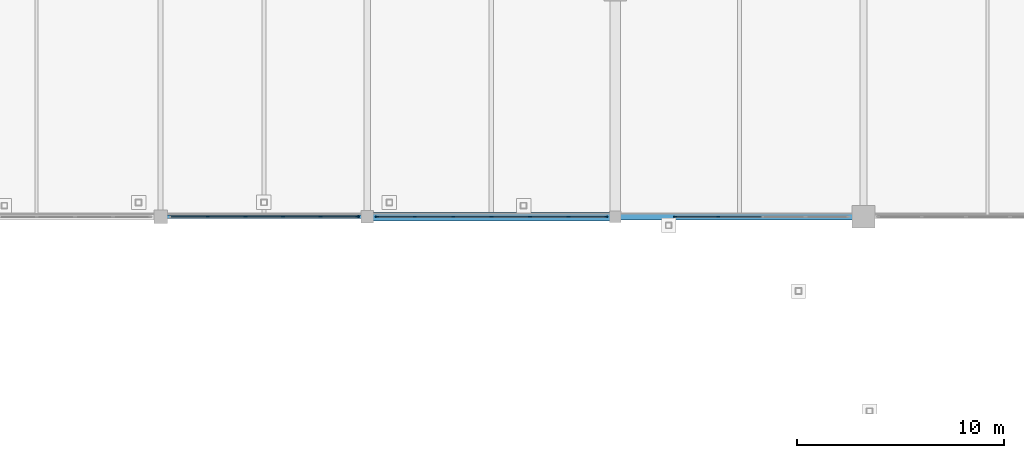
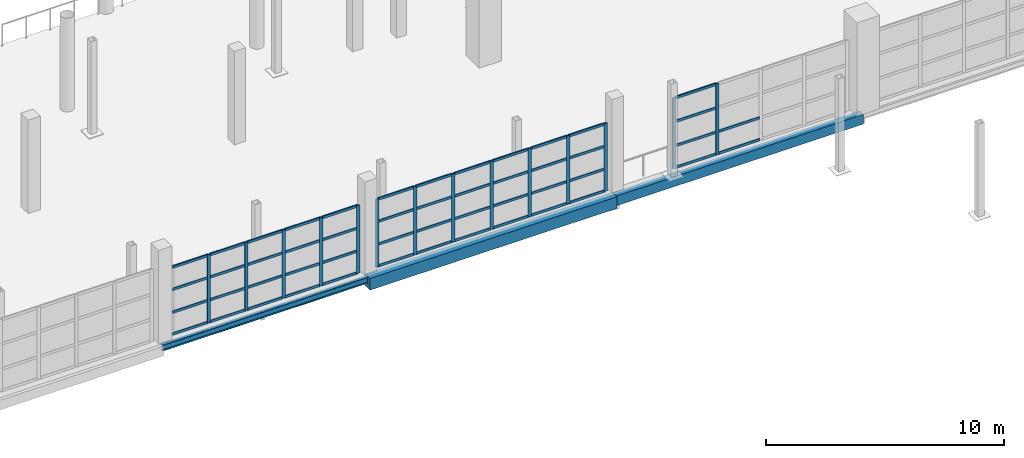
# One storey, part 49 of 143: 64 members, 3 beams, 3 elements without a shape of their own.
"""IFC4 building model written with IfcOpenShell, lengths in metres."""

from ifc_helpers import new_model, si_unit, direction, frame, origin, origin_2d, place, context, subcontext, project, spatial, rectangle, hollow_rectangle, i_section, extrude, material, material_profile, profile_set, type_object, element, aggregate, save


model = new_model("IFC4")

# Units and contexts
model_context = context("Model", 3, precision=1e-05, world=origin(), true_north=direction((0.0, 1.0)))
body_context = subcontext(model_context, "Body", "Model", "MODEL_VIEW")
ifc_project = project(units=[si_unit("LENGTHUNIT", "METRE"), si_unit("AREAUNIT", "SQUARE_METRE"), si_unit("VOLUMEUNIT", "CUBIC_METRE"), si_unit("PLANEANGLEUNIT", "RADIAN"), si_unit("MASSUNIT", "GRAM", prefix="KILO")], contexts=[model_context])

# Site, building, storey
site_placement = place(None, origin())
site = spatial("IfcSite", under=ifc_project, at=site_placement, CompositionType="ELEMENT")
building_placement = place(site_placement, origin())
building = spatial("IfcBuilding", under=site, at=building_placement, Name="Luwafu Chhajja Arena", CompositionType="ELEMENT")
storey_placement = place(building_placement, frame((0.0, 0.0, 5.39990234375)))
storey = spatial("IfcBuildingStorey", under=building, at=storey_placement, Name="L01", CompositionType="ELEMENT", Elevation=5.39990234375)

# Curtain wall, members
ifc_material_1 = material(Name="Anodised bronze aluminium", Category="aluminium")
curtain_wall_type = type_object("IfcCurtainWallType", Name="Bowl Concourse Chord Curtain Wall", PredefinedType="USERDEFINED", material=ifc_material_1)
curtain_wall_1_placement = place(storey_placement, origin())
curtain_wall_1 = element("IfcCurtainWall", 1, at=curtain_wall_1_placement, inside=storey, type_object=curtain_wall_type, Name="L01 Bowl Viewing Curtain Wall CWR-L01-11", ObjectType="CURTAIN WALL", PredefinedType="USERDEFINED")
ifc_material_profile_1 = material_profile(ifc_material_1, rectangle(XDim=0.06005859375, YDim=0.159912109375, at=origin_2d()), Name="CWM 60x160")
ifc_profile_set_1 = profile_set([ifc_material_profile_1], Name="Anodised bronze aluminium")
member_type_1 = type_object("IfcMemberType", Name="Bronze Curtain Wall Mullion 60x160", PredefinedType="MULLION", material=ifc_profile_set_1)
member_1_placement = place(storey_placement, frame((96.283935546875, 77.0, 0.0), z_axis=(0.0, 0.0, 1.0), x_axis=(0.0, 1.0, 0.0)))
member_1 = element("IfcMember", 2, at=member_1_placement, type_object=member_type_1, Name="CW-01 mullion 2", PredefinedType="MULLION", context=body_context, shape_type="SweptSolid", body=[
    extrude(rectangle(XDim=0.06005859375, YDim=0.159912109375, at=origin_2d()), origin(), (0.0, 0.0, 1.0), 3.489990234375),
])
member_2_placement = place(storey_placement, frame((98.10302734375, 77.0, 0.0), z_axis=(0.0, 0.0, 1.0), x_axis=(0.0, 1.0, 0.0)))
member_2 = element("IfcMember", 3, at=member_2_placement, type_object=member_type_1, Name="CW-01 mullion 3", PredefinedType="MULLION", context=body_context, shape_type="SweptSolid", body=[
    extrude(rectangle(XDim=0.06005859375, YDim=0.159912109375, at=origin_2d()), origin(), (0.0, 0.0, 1.0), 3.489990234375),
])
member_3_placement = place(storey_placement, frame((99.922119140625, 77.0, 0.0), z_axis=(0.0, 0.0, 1.0), x_axis=(0.0, 1.0, 0.0)))
member_3 = element("IfcMember", 4, at=member_3_placement, type_object=member_type_1, Name="CW-01 mullion 4", PredefinedType="MULLION", context=body_context, shape_type="SweptSolid", body=[
    extrude(rectangle(XDim=0.06005859375, YDim=0.159912109375, at=origin_2d()), origin(), (0.0, 0.0, 1.0), 3.489990234375),
])
member_4_placement = place(storey_placement, frame((101.740966796875, 77.0, 0.0), z_axis=(0.0, 0.0, 1.0), x_axis=(0.0, 1.0, 0.0)))
member_4 = element("IfcMember", 5, at=member_4_placement, type_object=member_type_1, Name="CW-01 mullion 5", PredefinedType="MULLION", context=body_context, shape_type="SweptSolid", body=[
    extrude(rectangle(XDim=0.06005859375, YDim=0.159912109375, at=origin_2d()), origin(), (0.0, 0.0, 1.0), 3.489990234375),
])
member_5_placement = place(storey_placement, frame((103.530029296875, 77.0, 0.0), z_axis=(0.0, 0.0, 1.0), x_axis=(0.0, 1.0, 0.0)))
member_5 = element("IfcMember", 6, at=member_5_placement, type_object=member_type_1, Name="CW-01 mullion 6", PredefinedType="MULLION", context=body_context, shape_type="SweptSolid", body=[
    extrude(rectangle(XDim=0.06005859375, YDim=0.159912109375, at=origin_2d()), origin(), (0.0, 0.0, 1.0), 3.489990234375),
])

curtain_wall_2_placement = place(storey_placement, origin())
curtain_wall_2 = element("IfcCurtainWall", 7, at=curtain_wall_2_placement, inside=storey, type_object=curtain_wall_type, Name="L01 Bowl Viewing Curtain Wall CWR-L01-12", ObjectType="CURTAIN WALL", PredefinedType="USERDEFINED")
member_6_placement = place(storey_placement, frame((104.469970703125, 77.0, 0.0), z_axis=(0.0, 0.0, 1.0), x_axis=(0.0, 1.0, 0.0)))
member_6 = element("IfcMember", 8, at=member_6_placement, type_object=member_type_1, Name="CW-01 mullion 1", PredefinedType="MULLION", context=body_context, shape_type="SweptSolid", body=[
    extrude(rectangle(XDim=0.06005859375, YDim=0.159912109375, at=origin_2d()), origin(), (0.0, 0.0, 1.0), 3.489990234375),
])
member_7_placement = place(storey_placement, frame((106.297607421875, 77.0, 0.0), z_axis=(0.0, 0.0, 1.0), x_axis=(0.0, 1.0, 0.0)))
member_7 = element("IfcMember", 9, at=member_7_placement, type_object=member_type_1, Name="CW-01 mullion 2", PredefinedType="MULLION", context=body_context, shape_type="SweptSolid", body=[
    extrude(rectangle(XDim=0.06005859375, YDim=0.159912109375, at=origin_2d()), origin(), (0.0, 0.0, 1.0), 3.489990234375),
])
member_8_placement = place(storey_placement, frame((108.155029296875, 77.0, 0.0), z_axis=(0.0, 0.0, 1.0), x_axis=(0.0, 1.0, 0.0)))
member_8 = element("IfcMember", 10, at=member_8_placement, type_object=member_type_1, Name="CW-01 mullion 3", PredefinedType="MULLION", context=body_context, shape_type="SweptSolid", body=[
    extrude(rectangle(XDim=0.06005859375, YDim=0.159912109375, at=origin_2d()), origin(), (0.0, 0.0, 1.0), 3.489990234375),
])
member_9_placement = place(storey_placement, frame((110.012451171875, 77.0, 0.0), z_axis=(0.0, 0.0, 1.0), x_axis=(0.0, 1.0, 0.0)))
member_9 = element("IfcMember", 11, at=member_9_placement, type_object=member_type_1, Name="CW-01 mullion 4", PredefinedType="MULLION", context=body_context, shape_type="SweptSolid", body=[
    extrude(rectangle(XDim=0.06005859375, YDim=0.159912109375, at=origin_2d()), origin(), (0.0, 0.0, 1.0), 3.489990234375),
])
member_10_placement = place(storey_placement, frame((111.8701171875, 77.0, 0.0), z_axis=(0.0, 0.0, 1.0), x_axis=(0.0, 1.0, 0.0)))
member_10 = element("IfcMember", 12, at=member_10_placement, type_object=member_type_1, Name="CW-01 mullion 5", PredefinedType="MULLION", context=body_context, shape_type="SweptSolid", body=[
    extrude(rectangle(XDim=0.06005859375, YDim=0.159912109375, at=origin_2d()), origin(), (0.0, 0.0, 1.0), 3.489990234375),
])
member_11_placement = place(storey_placement, frame((113.7275390625, 77.0, 0.0), z_axis=(0.0, 0.0, 1.0), x_axis=(0.0, 1.0, 0.0)))
member_11 = element("IfcMember", 13, at=member_11_placement, type_object=member_type_1, Name="CW-01 mullion 6", PredefinedType="MULLION", context=body_context, shape_type="SweptSolid", body=[
    extrude(rectangle(XDim=0.06005859375, YDim=0.159912109375, at=origin_2d()), origin(), (0.0, 0.0, 1.0), 3.489990234375),
])
member_12_placement = place(storey_placement, frame((115.554931640625, 77.0, 0.0), z_axis=(0.0, 0.0, 1.0), x_axis=(0.0, 1.0, 0.0)))
member_12 = element("IfcMember", 14, at=member_12_placement, type_object=member_type_1, Name="CW-01 mullion 7", PredefinedType="MULLION", context=body_context, shape_type="SweptSolid", body=[
    extrude(rectangle(XDim=0.06005859375, YDim=0.159912109375, at=origin_2d()), origin(), (0.0, 0.0, 1.0), 3.489990234375),
])

curtain_wall_3_placement = place(storey_placement, origin())
curtain_wall_3 = element("IfcCurtainWall", 15, at=curtain_wall_3_placement, inside=storey, type_object=curtain_wall_type, Name="L01 Bowl Viewing Curtain Wall CWR-L01-13", ObjectType="CURTAIN WALL", PredefinedType="USERDEFINED")
member_13_placement = place(storey_placement, frame((118.896484375, 77.0, 0.0), z_axis=(0.0, 0.0, 1.0), x_axis=(0.0, 1.0, 0.0)))
member_13 = element("IfcMember", 16, at=member_13_placement, type_object=member_type_1, Name="CW-01 mullion 1", PredefinedType="MULLION", context=body_context, shape_type="SweptSolid", body=[
    extrude(rectangle(XDim=0.06005859375, YDim=0.159912109375, at=origin_2d()), origin(), (0.0, 0.0, 1.0), 3.64013671875),
])
member_14_placement = place(storey_placement, frame((120.9775390625, 77.0, 0.0), z_axis=(0.0, 0.0, 1.0), x_axis=(0.0, 1.0, 0.0)))
member_14 = element("IfcMember", 17, at=member_14_placement, type_object=member_type_1, Name="CW-01 mullion 2", PredefinedType="MULLION", context=body_context, shape_type="SweptSolid", body=[
    extrude(rectangle(XDim=0.06005859375, YDim=0.159912109375, at=origin_2d()), origin(), (0.0, 0.0, 1.0), 3.64013671875),
])

# Member
ifc_material_profile_2 = material_profile(ifc_material_1, rectangle(XDim=0.06005859375, YDim=0.1298828125, at=origin_2d()), Name="CWT 60x130")
ifc_profile_set_2 = profile_set([ifc_material_profile_2], Name="Anodised bronze aluminium")
member_type_2 = type_object("IfcMemberType", Name="Bronze Curtain Wall Transom 60x130", PredefinedType="USERDEFINED", material=ifc_profile_set_2)
member_15_placement = place(storey_placement, frame((94.52490234375, 77.0, 0.030029296875), z_axis=(1.0, 0.0, 0.0), x_axis=(0.0, 1.0, 0.0)))
member_15 = element("IfcMember", 18, at=member_15_placement, type_object=member_type_2, Name="CW-01 transom 1.1", ObjectType="TRANSOM", PredefinedType="USERDEFINED", context=body_context, shape_type="SweptSolid", body=[
    extrude(rectangle(XDim=0.06005859375, YDim=0.1298828125, at=origin_2d()), origin(), (0.0, 0.0, 1.0), 1.72900390625),
])

member_16_placement = place(storey_placement, frame((94.52490234375, 77.0, 1.150146484375), z_axis=(1.0, 0.0, 0.0), x_axis=(0.0, 1.0, 0.0)))
member_16 = element("IfcMember", 19, at=member_16_placement, type_object=member_type_2, Name="CW-01 transom 1.2", ObjectType="TRANSOM", PredefinedType="USERDEFINED", context=body_context, shape_type="SweptSolid", body=[
    extrude(rectangle(XDim=0.06005859375, YDim=0.1298828125, at=origin_2d()), origin(), (0.0, 0.0, 1.0), 1.72900390625),
])

member_17_placement = place(storey_placement, frame((94.52490234375, 77.0, 2.320068359375), z_axis=(1.0, 0.0, 0.0), x_axis=(0.0, 1.0, 0.0)))
member_17 = element("IfcMember", 20, at=member_17_placement, type_object=member_type_2, Name="CW-01 transom 1.3", ObjectType="TRANSOM", PredefinedType="USERDEFINED", context=body_context, shape_type="SweptSolid", body=[
    extrude(rectangle(XDim=0.06005859375, YDim=0.1298828125, at=origin_2d()), origin(), (0.0, 0.0, 1.0), 1.72900390625),
])

member_18_placement = place(storey_placement, frame((94.52490234375, 77.0, 3.460205078125), z_axis=(1.0, 0.0, 0.0), x_axis=(0.0, 1.0, 0.0)))
member_18 = element("IfcMember", 21, at=member_18_placement, type_object=member_type_2, Name="CW-01 transom 1.4", ObjectType="TRANSOM", PredefinedType="USERDEFINED", context=body_context, shape_type="SweptSolid", body=[
    extrude(rectangle(XDim=0.06005859375, YDim=0.1298828125, at=origin_2d()), origin(), (0.0, 0.0, 1.0), 1.72900390625),
])

member_19_placement = place(storey_placement, frame((96.31396484375, 77.0, 0.030029296875), z_axis=(1.0, 0.0, 0.0), x_axis=(0.0, 1.0, 0.0)))
member_19 = element("IfcMember", 22, at=member_19_placement, type_object=member_type_2, Name="CW-01 transom 2.1", ObjectType="TRANSOM", PredefinedType="USERDEFINED", context=body_context, shape_type="SweptSolid", body=[
    extrude(rectangle(XDim=0.06005859375, YDim=0.1298828125, at=origin_2d()), origin(), (0.0, 0.0, 1.0), 1.759033203125),
])

member_20_placement = place(storey_placement, frame((96.31396484375, 77.0, 1.150146484375), z_axis=(1.0, 0.0, 0.0), x_axis=(0.0, 1.0, 0.0)))
member_20 = element("IfcMember", 23, at=member_20_placement, type_object=member_type_2, Name="CW-01 transom 2.2", ObjectType="TRANSOM", PredefinedType="USERDEFINED", context=body_context, shape_type="SweptSolid", body=[
    extrude(rectangle(XDim=0.06005859375, YDim=0.1298828125, at=origin_2d()), origin(), (0.0, 0.0, 1.0), 1.759033203125),
])

member_21_placement = place(storey_placement, frame((96.31396484375, 77.0, 2.320068359375), z_axis=(1.0, 0.0, 0.0), x_axis=(0.0, 1.0, 0.0)))
member_21 = element("IfcMember", 24, at=member_21_placement, type_object=member_type_2, Name="CW-01 transom 2.3", ObjectType="TRANSOM", PredefinedType="USERDEFINED", context=body_context, shape_type="SweptSolid", body=[
    extrude(rectangle(XDim=0.06005859375, YDim=0.1298828125, at=origin_2d()), origin(), (0.0, 0.0, 1.0), 1.759033203125),
])

member_22_placement = place(storey_placement, frame((96.31396484375, 77.0, 3.460205078125), z_axis=(1.0, 0.0, 0.0), x_axis=(0.0, 1.0, 0.0)))
member_22 = element("IfcMember", 25, at=member_22_placement, type_object=member_type_2, Name="CW-01 transom 2.4", ObjectType="TRANSOM", PredefinedType="USERDEFINED", context=body_context, shape_type="SweptSolid", body=[
    extrude(rectangle(XDim=0.06005859375, YDim=0.1298828125, at=origin_2d()), origin(), (0.0, 0.0, 1.0), 1.759033203125),
])

member_23_placement = place(storey_placement, frame((98.133056640625, 77.0, 0.030029296875), z_axis=(1.0, 0.0, 0.0), x_axis=(0.0, 1.0, 0.0)))
member_23 = element("IfcMember", 26, at=member_23_placement, type_object=member_type_2, Name="CW-01 transom 3.1", ObjectType="TRANSOM", PredefinedType="USERDEFINED", context=body_context, shape_type="SweptSolid", body=[
    extrude(rectangle(XDim=0.06005859375, YDim=0.1298828125, at=origin_2d()), origin(), (0.0, 0.0, 1.0), 1.759033203125),
])

member_24_placement = place(storey_placement, frame((98.133056640625, 77.0, 1.150146484375), z_axis=(1.0, 0.0, 0.0), x_axis=(0.0, 1.0, 0.0)))
member_24 = element("IfcMember", 27, at=member_24_placement, type_object=member_type_2, Name="CW-01 transom 3.2", ObjectType="TRANSOM", PredefinedType="USERDEFINED", context=body_context, shape_type="SweptSolid", body=[
    extrude(rectangle(XDim=0.06005859375, YDim=0.1298828125, at=origin_2d()), origin(), (0.0, 0.0, 1.0), 1.759033203125),
])

member_25_placement = place(storey_placement, frame((98.133056640625, 77.0, 2.320068359375), z_axis=(1.0, 0.0, 0.0), x_axis=(0.0, 1.0, 0.0)))
member_25 = element("IfcMember", 28, at=member_25_placement, type_object=member_type_2, Name="CW-01 transom 3.3", ObjectType="TRANSOM", PredefinedType="USERDEFINED", context=body_context, shape_type="SweptSolid", body=[
    extrude(rectangle(XDim=0.06005859375, YDim=0.1298828125, at=origin_2d()), origin(), (0.0, 0.0, 1.0), 1.759033203125),
])

member_26_placement = place(storey_placement, frame((98.133056640625, 77.0, 3.460205078125), z_axis=(1.0, 0.0, 0.0), x_axis=(0.0, 1.0, 0.0)))
member_26 = element("IfcMember", 29, at=member_26_placement, type_object=member_type_2, Name="CW-01 transom 3.4", ObjectType="TRANSOM", PredefinedType="USERDEFINED", context=body_context, shape_type="SweptSolid", body=[
    extrude(rectangle(XDim=0.06005859375, YDim=0.1298828125, at=origin_2d()), origin(), (0.0, 0.0, 1.0), 1.759033203125),
])

member_27_placement = place(storey_placement, frame((99.951904296875, 77.0, 0.030029296875), z_axis=(1.0, 0.0, 0.0), x_axis=(0.0, 1.0, 0.0)))
member_27 = element("IfcMember", 30, at=member_27_placement, type_object=member_type_2, Name="CW-01 transom 4.1", ObjectType="TRANSOM", PredefinedType="USERDEFINED", context=body_context, shape_type="SweptSolid", body=[
    extrude(rectangle(XDim=0.06005859375, YDim=0.1298828125, at=origin_2d()), origin(), (0.0, 0.0, 1.0), 1.759033203125),
])

member_28_placement = place(storey_placement, frame((99.951904296875, 77.0, 1.150146484375), z_axis=(1.0, 0.0, 0.0), x_axis=(0.0, 1.0, 0.0)))
member_28 = element("IfcMember", 31, at=member_28_placement, type_object=member_type_2, Name="CW-01 transom 4.2", ObjectType="TRANSOM", PredefinedType="USERDEFINED", context=body_context, shape_type="SweptSolid", body=[
    extrude(rectangle(XDim=0.06005859375, YDim=0.1298828125, at=origin_2d()), origin(), (0.0, 0.0, 1.0), 1.759033203125),
])

member_29_placement = place(storey_placement, frame((99.951904296875, 77.0, 2.320068359375), z_axis=(1.0, 0.0, 0.0), x_axis=(0.0, 1.0, 0.0)))
member_29 = element("IfcMember", 32, at=member_29_placement, type_object=member_type_2, Name="CW-01 transom 4.3", ObjectType="TRANSOM", PredefinedType="USERDEFINED", context=body_context, shape_type="SweptSolid", body=[
    extrude(rectangle(XDim=0.06005859375, YDim=0.1298828125, at=origin_2d()), origin(), (0.0, 0.0, 1.0), 1.759033203125),
])

member_30_placement = place(storey_placement, frame((99.951904296875, 77.0, 3.460205078125), z_axis=(1.0, 0.0, 0.0), x_axis=(0.0, 1.0, 0.0)))
member_30 = element("IfcMember", 33, at=member_30_placement, type_object=member_type_2, Name="CW-01 transom 4.4", ObjectType="TRANSOM", PredefinedType="USERDEFINED", context=body_context, shape_type="SweptSolid", body=[
    extrude(rectangle(XDim=0.06005859375, YDim=0.1298828125, at=origin_2d()), origin(), (0.0, 0.0, 1.0), 1.759033203125),
])

member_31_placement = place(storey_placement, frame((101.77099609375, 77.0, 0.030029296875), z_axis=(1.0, 0.0, 0.0), x_axis=(0.0, 1.0, 0.0)))
member_31 = element("IfcMember", 34, at=member_31_placement, type_object=member_type_2, Name="CW-01 transom 5.1", ObjectType="TRANSOM", PredefinedType="USERDEFINED", context=body_context, shape_type="SweptSolid", body=[
    extrude(rectangle(XDim=0.06005859375, YDim=0.1298828125, at=origin_2d()), origin(), (0.0, 0.0, 1.0), 1.72900390625),
])

member_32_placement = place(storey_placement, frame((101.77099609375, 77.0, 1.150146484375), z_axis=(1.0, 0.0, 0.0), x_axis=(0.0, 1.0, 0.0)))
member_32 = element("IfcMember", 35, at=member_32_placement, type_object=member_type_2, Name="CW-01 transom 5.2", ObjectType="TRANSOM", PredefinedType="USERDEFINED", context=body_context, shape_type="SweptSolid", body=[
    extrude(rectangle(XDim=0.06005859375, YDim=0.1298828125, at=origin_2d()), origin(), (0.0, 0.0, 1.0), 1.72900390625),
])

member_33_placement = place(storey_placement, frame((101.77099609375, 77.0, 2.320068359375), z_axis=(1.0, 0.0, 0.0), x_axis=(0.0, 1.0, 0.0)))
member_33 = element("IfcMember", 36, at=member_33_placement, type_object=member_type_2, Name="CW-01 transom 5.3", ObjectType="TRANSOM", PredefinedType="USERDEFINED", context=body_context, shape_type="SweptSolid", body=[
    extrude(rectangle(XDim=0.06005859375, YDim=0.1298828125, at=origin_2d()), origin(), (0.0, 0.0, 1.0), 1.72900390625),
])

member_34_placement = place(storey_placement, frame((101.77099609375, 77.0, 3.460205078125), z_axis=(1.0, 0.0, 0.0), x_axis=(0.0, 1.0, 0.0)))
member_34 = element("IfcMember", 37, at=member_34_placement, type_object=member_type_2, Name="CW-01 transom 5.4", ObjectType="TRANSOM", PredefinedType="USERDEFINED", context=body_context, shape_type="SweptSolid", body=[
    extrude(rectangle(XDim=0.06005859375, YDim=0.1298828125, at=origin_2d()), origin(), (0.0, 0.0, 1.0), 1.72900390625),
])

aggregate(curtain_wall_1, [member_1, member_2, member_3, member_4, member_5, member_15, member_16, member_17, member_18, member_19, member_20, member_21, member_22, member_23, member_24, member_25, member_26, member_27, member_28, member_29, member_30, member_31, member_32, member_33, member_34])

member_35_placement = place(storey_placement, frame((104.5, 77.0, 0.030029296875), z_axis=(1.0, 0.0, 0.0), x_axis=(0.0, 1.0, 0.0)))
member_35 = element("IfcMember", 38, at=member_35_placement, type_object=member_type_2, Name="CW-01 transom 1.1", ObjectType="TRANSOM", PredefinedType="USERDEFINED", context=body_context, shape_type="SweptSolid", body=[
    extrude(rectangle(XDim=0.06005859375, YDim=0.1298828125, at=origin_2d()), origin(), (0.0, 0.0, 1.0), 1.767578125),
])

member_36_placement = place(storey_placement, frame((104.5, 77.0, 1.150146484375), z_axis=(1.0, 0.0, 0.0), x_axis=(0.0, 1.0, 0.0)))
member_36 = element("IfcMember", 39, at=member_36_placement, type_object=member_type_2, Name="CW-01 transom 1.2", ObjectType="TRANSOM", PredefinedType="USERDEFINED", context=body_context, shape_type="SweptSolid", body=[
    extrude(rectangle(XDim=0.06005859375, YDim=0.1298828125, at=origin_2d()), origin(), (0.0, 0.0, 1.0), 1.767578125),
])

member_37_placement = place(storey_placement, frame((104.5, 77.0, 2.320068359375), z_axis=(1.0, 0.0, 0.0), x_axis=(0.0, 1.0, 0.0)))
member_37 = element("IfcMember", 40, at=member_37_placement, type_object=member_type_2, Name="CW-01 transom 1.3", ObjectType="TRANSOM", PredefinedType="USERDEFINED", context=body_context, shape_type="SweptSolid", body=[
    extrude(rectangle(XDim=0.06005859375, YDim=0.1298828125, at=origin_2d()), origin(), (0.0, 0.0, 1.0), 1.767578125),
])

member_38_placement = place(storey_placement, frame((104.5, 77.0, 3.460205078125), z_axis=(1.0, 0.0, 0.0), x_axis=(0.0, 1.0, 0.0)))
member_38 = element("IfcMember", 41, at=member_38_placement, type_object=member_type_2, Name="CW-01 transom 1.4", ObjectType="TRANSOM", PredefinedType="USERDEFINED", context=body_context, shape_type="SweptSolid", body=[
    extrude(rectangle(XDim=0.06005859375, YDim=0.1298828125, at=origin_2d()), origin(), (0.0, 0.0, 1.0), 1.767578125),
])

member_39_placement = place(storey_placement, frame((106.327392578125, 77.0, 0.030029296875), z_axis=(1.0, 0.0, 0.0), x_axis=(0.0, 1.0, 0.0)))
member_39 = element("IfcMember", 42, at=member_39_placement, type_object=member_type_2, Name="CW-01 transom 2.1", ObjectType="TRANSOM", PredefinedType="USERDEFINED", context=body_context, shape_type="SweptSolid", body=[
    extrude(rectangle(XDim=0.06005859375, YDim=0.1298828125, at=origin_2d()), origin(), (0.0, 0.0, 1.0), 1.797607421875),
])

member_40_placement = place(storey_placement, frame((106.327392578125, 77.0, 1.150146484375), z_axis=(1.0, 0.0, 0.0), x_axis=(0.0, 1.0, 0.0)))
member_40 = element("IfcMember", 43, at=member_40_placement, type_object=member_type_2, Name="CW-01 transom 2.2", ObjectType="TRANSOM", PredefinedType="USERDEFINED", context=body_context, shape_type="SweptSolid", body=[
    extrude(rectangle(XDim=0.06005859375, YDim=0.1298828125, at=origin_2d()), origin(), (0.0, 0.0, 1.0), 1.797607421875),
])

member_41_placement = place(storey_placement, frame((106.327392578125, 77.0, 2.320068359375), z_axis=(1.0, 0.0, 0.0), x_axis=(0.0, 1.0, 0.0)))
member_41 = element("IfcMember", 44, at=member_41_placement, type_object=member_type_2, Name="CW-01 transom 2.3", ObjectType="TRANSOM", PredefinedType="USERDEFINED", context=body_context, shape_type="SweptSolid", body=[
    extrude(rectangle(XDim=0.06005859375, YDim=0.1298828125, at=origin_2d()), origin(), (0.0, 0.0, 1.0), 1.797607421875),
])

member_42_placement = place(storey_placement, frame((106.327392578125, 77.0, 3.460205078125), z_axis=(1.0, 0.0, 0.0), x_axis=(0.0, 1.0, 0.0)))
member_42 = element("IfcMember", 45, at=member_42_placement, type_object=member_type_2, Name="CW-01 transom 2.4", ObjectType="TRANSOM", PredefinedType="USERDEFINED", context=body_context, shape_type="SweptSolid", body=[
    extrude(rectangle(XDim=0.06005859375, YDim=0.1298828125, at=origin_2d()), origin(), (0.0, 0.0, 1.0), 1.797607421875),
])

member_43_placement = place(storey_placement, frame((108.18505859375, 77.0, 0.030029296875), z_axis=(1.0, 0.0, 0.0), x_axis=(0.0, 1.0, 0.0)))
member_43 = element("IfcMember", 46, at=member_43_placement, type_object=member_type_2, Name="CW-01 transom 3.1", ObjectType="TRANSOM", PredefinedType="USERDEFINED", context=body_context, shape_type="SweptSolid", body=[
    extrude(rectangle(XDim=0.06005859375, YDim=0.1298828125, at=origin_2d()), origin(), (0.0, 0.0, 1.0), 1.79736328125),
])

member_44_placement = place(storey_placement, frame((108.18505859375, 77.0, 1.150146484375), z_axis=(1.0, 0.0, 0.0), x_axis=(0.0, 1.0, 0.0)))
member_44 = element("IfcMember", 47, at=member_44_placement, type_object=member_type_2, Name="CW-01 transom 3.2", ObjectType="TRANSOM", PredefinedType="USERDEFINED", context=body_context, shape_type="SweptSolid", body=[
    extrude(rectangle(XDim=0.06005859375, YDim=0.1298828125, at=origin_2d()), origin(), (0.0, 0.0, 1.0), 1.79736328125),
])

member_45_placement = place(storey_placement, frame((108.18505859375, 77.0, 2.320068359375), z_axis=(1.0, 0.0, 0.0), x_axis=(0.0, 1.0, 0.0)))
member_45 = element("IfcMember", 48, at=member_45_placement, type_object=member_type_2, Name="CW-01 transom 3.3", ObjectType="TRANSOM", PredefinedType="USERDEFINED", context=body_context, shape_type="SweptSolid", body=[
    extrude(rectangle(XDim=0.06005859375, YDim=0.1298828125, at=origin_2d()), origin(), (0.0, 0.0, 1.0), 1.79736328125),
])

member_46_placement = place(storey_placement, frame((108.18505859375, 77.0, 3.460205078125), z_axis=(1.0, 0.0, 0.0), x_axis=(0.0, 1.0, 0.0)))
member_46 = element("IfcMember", 49, at=member_46_placement, type_object=member_type_2, Name="CW-01 transom 3.4", ObjectType="TRANSOM", PredefinedType="USERDEFINED", context=body_context, shape_type="SweptSolid", body=[
    extrude(rectangle(XDim=0.06005859375, YDim=0.1298828125, at=origin_2d()), origin(), (0.0, 0.0, 1.0), 1.79736328125),
])

member_47_placement = place(storey_placement, frame((110.04248046875, 77.0, 0.030029296875), z_axis=(1.0, 0.0, 0.0), x_axis=(0.0, 1.0, 0.0)))
member_47 = element("IfcMember", 50, at=member_47_placement, type_object=member_type_2, Name="CW-01 transom 4.1", ObjectType="TRANSOM", PredefinedType="USERDEFINED", context=body_context, shape_type="SweptSolid", body=[
    extrude(rectangle(XDim=0.06005859375, YDim=0.1298828125, at=origin_2d()), origin(), (0.0, 0.0, 1.0), 1.797607421875),
])

member_48_placement = place(storey_placement, frame((110.04248046875, 77.0, 1.150146484375), z_axis=(1.0, 0.0, 0.0), x_axis=(0.0, 1.0, 0.0)))
member_48 = element("IfcMember", 51, at=member_48_placement, type_object=member_type_2, Name="CW-01 transom 4.2", ObjectType="TRANSOM", PredefinedType="USERDEFINED", context=body_context, shape_type="SweptSolid", body=[
    extrude(rectangle(XDim=0.06005859375, YDim=0.1298828125, at=origin_2d()), origin(), (0.0, 0.0, 1.0), 1.797607421875),
])

member_49_placement = place(storey_placement, frame((110.04248046875, 77.0, 2.320068359375), z_axis=(1.0, 0.0, 0.0), x_axis=(0.0, 1.0, 0.0)))
member_49 = element("IfcMember", 52, at=member_49_placement, type_object=member_type_2, Name="CW-01 transom 4.3", ObjectType="TRANSOM", PredefinedType="USERDEFINED", context=body_context, shape_type="SweptSolid", body=[
    extrude(rectangle(XDim=0.06005859375, YDim=0.1298828125, at=origin_2d()), origin(), (0.0, 0.0, 1.0), 1.797607421875),
])

member_50_placement = place(storey_placement, frame((110.04248046875, 77.0, 3.460205078125), z_axis=(1.0, 0.0, 0.0), x_axis=(0.0, 1.0, 0.0)))
member_50 = element("IfcMember", 53, at=member_50_placement, type_object=member_type_2, Name="CW-01 transom 4.4", ObjectType="TRANSOM", PredefinedType="USERDEFINED", context=body_context, shape_type="SweptSolid", body=[
    extrude(rectangle(XDim=0.06005859375, YDim=0.1298828125, at=origin_2d()), origin(), (0.0, 0.0, 1.0), 1.797607421875),
])

member_51_placement = place(storey_placement, frame((111.89990234375, 77.0, 0.030029296875), z_axis=(1.0, 0.0, 0.0), x_axis=(0.0, 1.0, 0.0)))
member_51 = element("IfcMember", 54, at=member_51_placement, type_object=member_type_2, Name="CW-01 transom 5.1", ObjectType="TRANSOM", PredefinedType="USERDEFINED", context=body_context, shape_type="SweptSolid", body=[
    extrude(rectangle(XDim=0.06005859375, YDim=0.1298828125, at=origin_2d()), origin(), (0.0, 0.0, 1.0), 1.797607421875),
])

member_52_placement = place(storey_placement, frame((111.89990234375, 77.0, 1.150146484375), z_axis=(1.0, 0.0, 0.0), x_axis=(0.0, 1.0, 0.0)))
member_52 = element("IfcMember", 55, at=member_52_placement, type_object=member_type_2, Name="CW-01 transom 5.2", ObjectType="TRANSOM", PredefinedType="USERDEFINED", context=body_context, shape_type="SweptSolid", body=[
    extrude(rectangle(XDim=0.06005859375, YDim=0.1298828125, at=origin_2d()), origin(), (0.0, 0.0, 1.0), 1.797607421875),
])

member_53_placement = place(storey_placement, frame((111.89990234375, 77.0, 2.320068359375), z_axis=(1.0, 0.0, 0.0), x_axis=(0.0, 1.0, 0.0)))
member_53 = element("IfcMember", 56, at=member_53_placement, type_object=member_type_2, Name="CW-01 transom 5.3", ObjectType="TRANSOM", PredefinedType="USERDEFINED", context=body_context, shape_type="SweptSolid", body=[
    extrude(rectangle(XDim=0.06005859375, YDim=0.1298828125, at=origin_2d()), origin(), (0.0, 0.0, 1.0), 1.797607421875),
])

member_54_placement = place(storey_placement, frame((111.89990234375, 77.0, 3.460205078125), z_axis=(1.0, 0.0, 0.0), x_axis=(0.0, 1.0, 0.0)))
member_54 = element("IfcMember", 57, at=member_54_placement, type_object=member_type_2, Name="CW-01 transom 5.4", ObjectType="TRANSOM", PredefinedType="USERDEFINED", context=body_context, shape_type="SweptSolid", body=[
    extrude(rectangle(XDim=0.06005859375, YDim=0.1298828125, at=origin_2d()), origin(), (0.0, 0.0, 1.0), 1.797607421875),
])

member_55_placement = place(storey_placement, frame((113.757568359375, 77.0, 0.030029296875), z_axis=(1.0, 0.0, 0.0), x_axis=(0.0, 1.0, 0.0)))
member_55 = element("IfcMember", 58, at=member_55_placement, type_object=member_type_2, Name="CW-01 transom 6.1", ObjectType="TRANSOM", PredefinedType="USERDEFINED", context=body_context, shape_type="SweptSolid", body=[
    extrude(rectangle(XDim=0.06005859375, YDim=0.1298828125, at=origin_2d()), origin(), (0.0, 0.0, 1.0), 1.767333984375),
])

member_56_placement = place(storey_placement, frame((113.757568359375, 77.0, 1.150146484375), z_axis=(1.0, 0.0, 0.0), x_axis=(0.0, 1.0, 0.0)))
member_56 = element("IfcMember", 59, at=member_56_placement, type_object=member_type_2, Name="CW-01 transom 6.2", ObjectType="TRANSOM", PredefinedType="USERDEFINED", context=body_context, shape_type="SweptSolid", body=[
    extrude(rectangle(XDim=0.06005859375, YDim=0.1298828125, at=origin_2d()), origin(), (0.0, 0.0, 1.0), 1.767333984375),
])

member_57_placement = place(storey_placement, frame((113.757568359375, 77.0, 2.320068359375), z_axis=(1.0, 0.0, 0.0), x_axis=(0.0, 1.0, 0.0)))
member_57 = element("IfcMember", 60, at=member_57_placement, type_object=member_type_2, Name="CW-01 transom 6.3", ObjectType="TRANSOM", PredefinedType="USERDEFINED", context=body_context, shape_type="SweptSolid", body=[
    extrude(rectangle(XDim=0.06005859375, YDim=0.1298828125, at=origin_2d()), origin(), (0.0, 0.0, 1.0), 1.767333984375),
])

member_58_placement = place(storey_placement, frame((113.757568359375, 77.0, 3.460205078125), z_axis=(1.0, 0.0, 0.0), x_axis=(0.0, 1.0, 0.0)))
member_58 = element("IfcMember", 61, at=member_58_placement, type_object=member_type_2, Name="CW-01 transom 6.4", ObjectType="TRANSOM", PredefinedType="USERDEFINED", context=body_context, shape_type="SweptSolid", body=[
    extrude(rectangle(XDim=0.06005859375, YDim=0.1298828125, at=origin_2d()), origin(), (0.0, 0.0, 1.0), 1.767333984375),
])

aggregate(curtain_wall_2, [member_6, member_7, member_8, member_9, member_10, member_11, member_12, member_35, member_36, member_37, member_38, member_39, member_40, member_41, member_42, member_43, member_44, member_45, member_46, member_47, member_48, member_49, member_50, member_51, member_52, member_53, member_54, member_55, member_56, member_57, member_58])

member_59_placement = place(storey_placement, frame((118.926513671875, 77.0, 0.030029296875), z_axis=(1.0, 0.0, 0.0), x_axis=(0.0, 1.0, 0.0)))
member_59 = element("IfcMember", 62, at=member_59_placement, type_object=member_type_2, Name="CW-01 transom 1.1", ObjectType="TRANSOM", PredefinedType="USERDEFINED", context=body_context, shape_type="SweptSolid", body=[
    extrude(rectangle(XDim=0.06005859375, YDim=0.1298828125, at=origin_2d()), origin(), (0.0, 0.0, 1.0), 2.02099609375),
])

member_60_placement = place(storey_placement, frame((118.926513671875, 77.0, 1.150146484375), z_axis=(1.0, 0.0, 0.0), x_axis=(0.0, 1.0, 0.0)))
member_60 = element("IfcMember", 63, at=member_60_placement, type_object=member_type_2, Name="CW-01 transom 1.2", ObjectType="TRANSOM", PredefinedType="USERDEFINED", context=body_context, shape_type="SweptSolid", body=[
    extrude(rectangle(XDim=0.06005859375, YDim=0.1298828125, at=origin_2d()), origin(), (0.0, 0.0, 1.0), 2.02099609375),
])

member_61_placement = place(storey_placement, frame((118.926513671875, 77.0, 2.39501953125), z_axis=(1.0, 0.0, 0.0), x_axis=(0.0, 1.0, 0.0)))
member_61 = element("IfcMember", 64, at=member_61_placement, type_object=member_type_2, Name="CW-01 transom 1.3", ObjectType="TRANSOM", PredefinedType="USERDEFINED", context=body_context, shape_type="SweptSolid", body=[
    extrude(rectangle(XDim=0.06005859375, YDim=0.1298828125, at=origin_2d()), origin(), (0.0, 0.0, 1.0), 2.02099609375),
])

member_62_placement = place(storey_placement, frame((118.926513671875, 77.0, 3.610107421875), z_axis=(1.0, 0.0, 0.0), x_axis=(0.0, 1.0, 0.0)))
member_62 = element("IfcMember", 65, at=member_62_placement, type_object=member_type_2, Name="CW-01 transom 1.4", ObjectType="TRANSOM", PredefinedType="USERDEFINED", context=body_context, shape_type="SweptSolid", body=[
    extrude(rectangle(XDim=0.06005859375, YDim=0.1298828125, at=origin_2d()), origin(), (0.0, 0.0, 1.0), 2.02099609375),
])

member_63_placement = place(storey_placement, frame((121.007568359375, 77.0, 0.030029296875), z_axis=(1.0, 0.0, 0.0), x_axis=(0.0, 1.0, 0.0)))
member_63 = element("IfcMember", 66, at=member_63_placement, type_object=member_type_2, Name="CW-01 transom 2.1", ObjectType="TRANSOM", PredefinedType="USERDEFINED", context=body_context, shape_type="SweptSolid", body=[
    extrude(rectangle(XDim=0.06005859375, YDim=0.1298828125, at=origin_2d()), origin(), (0.0, 0.0, 1.0), 2.05078125),
])

member_64_placement = place(storey_placement, frame((121.007568359375, 77.0, 1.150146484375), z_axis=(1.0, 0.0, 0.0), x_axis=(0.0, 1.0, 0.0)))
member_64 = element("IfcMember", 67, at=member_64_placement, type_object=member_type_2, Name="CW-01 transom 2.2", ObjectType="TRANSOM", PredefinedType="USERDEFINED", context=body_context, shape_type="SweptSolid", body=[
    extrude(rectangle(XDim=0.06005859375, YDim=0.1298828125, at=origin_2d()), origin(), (0.0, 0.0, 1.0), 2.05078125),
])

aggregate(curtain_wall_3, [member_13, member_14, member_59, member_60, member_61, member_62, member_63, member_64])

# Beams
ifc_material_2 = material(Name="Steel S355", Category="steel")
ifc_material_profile_3 = material_profile(ifc_material_2, i_section(OverallWidth=0.165771484375, OverallDepth=0.306640625, WebThickness=0.006591796875, FlangeThickness=0.01171875, at=origin_2d()), Name="UB 305x165x46")
ifc_profile_set_3 = profile_set([ifc_material_profile_3], Name="Steel S355")
beam_type_1 = type_object("IfcBeamType", Name="Concourse Edge Spandrel Beam UB 305x165x46", PredefinedType="SPANDREL", material=ifc_profile_set_3)
beam_1_placement = place(storey_placement, frame((94.0, 77.0, -0.483154296875), z_axis=(1.0, 0.0, 0.0), x_axis=(0.0, 1.0, 0.0)))
element("IfcBeam", 68, at=beam_1_placement, inside=storey, type_object=beam_type_1, Name="L01 Grid Beam 9-10/H", PredefinedType="SPANDREL", context=body_context, shape_type="SweptSolid", body=[
    extrude(i_section(OverallWidth=0.165771484375, OverallDepth=0.306640625, WebThickness=0.006591796875, FlangeThickness=0.01171875, at=origin_2d()), origin(), (0.0, 0.0, 1.0), 10.0),
])
ifc_material_profile_4 = material_profile(ifc_material_2, hollow_rectangle(XDim=0.300048828125, YDim=0.5, WallThickness=0.02001953125, at=origin_2d()), Name="RHS 500x300x20")
ifc_profile_set_4 = profile_set([ifc_material_profile_4], Name="Steel S355")
beam_type_2 = type_object("IfcBeamType", Name="Pleated Drum Spandrel Beam RHS 500x300", PredefinedType="SPANDREL", material=ifc_profile_set_4)
beam_2_placement = place(storey_placement, frame((116.0, 77.0, -0.579833984375), z_axis=(1.0, 0.0, 0.0), x_axis=(0.0, 1.0, 0.0)))
element("IfcBeam", 69, at=beam_2_placement, inside=storey, type_object=beam_type_2, Name="L01 Grid Beam 11-12/H", PredefinedType="SPANDREL", context=body_context, shape_type="SweptSolid", body=[
    extrude(hollow_rectangle(XDim=0.300048828125, YDim=0.5, WallThickness=0.02001953125, at=origin_2d()), origin(), (0.0, 0.0, 1.0), 12.0),
])
ifc_material_3 = material(Name="Concrete C35/45", Category="concrete")
ifc_material_profile_5 = material_profile(ifc_material_3, rectangle(XDim=0.39990234375, YDim=0.60009765625, at=origin_2d()), Name="RC 400x600")
ifc_profile_set_5 = profile_set([ifc_material_profile_5], Name="Concrete C35/45")
beam_type_3 = type_object("IfcBeamType", Name="Podium Perimeter Spandrel RC 400x600", PredefinedType="SPANDREL", material=ifc_profile_set_5)
beam_3_placement = place(storey_placement, frame((104.0, 77.0, -0.6298828125), z_axis=(1.0, 0.0, 0.0), x_axis=(0.0, 1.0, 0.0)))
element("IfcBeam", 70, at=beam_3_placement, inside=storey, type_object=beam_type_3, Name="L01 Grid Beam 10-11/H", PredefinedType="SPANDREL", context=body_context, shape_type="SweptSolid", body=[
    extrude(rectangle(XDim=0.39990234375, YDim=0.60009765625, at=origin_2d()), origin(), (0.0, 0.0, 1.0), 12.0),
])

save(model, "model.ifc")
